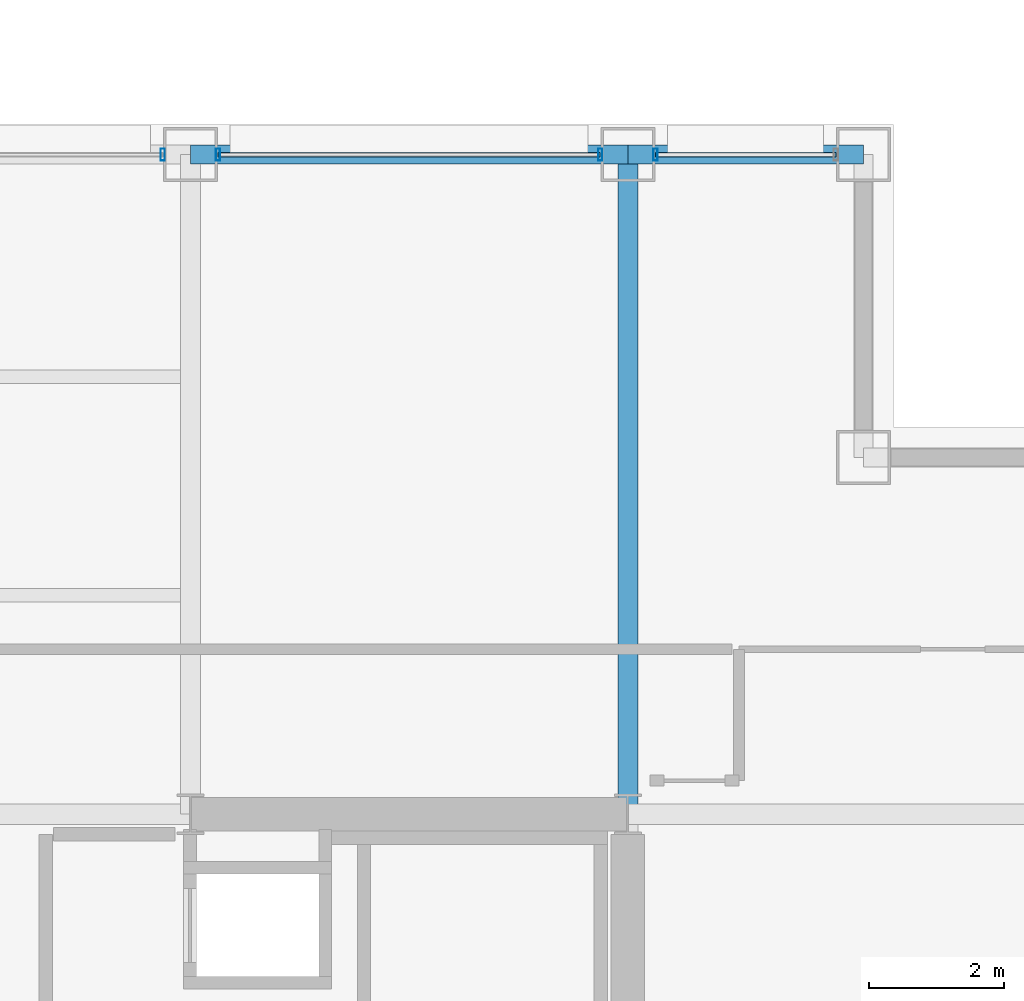
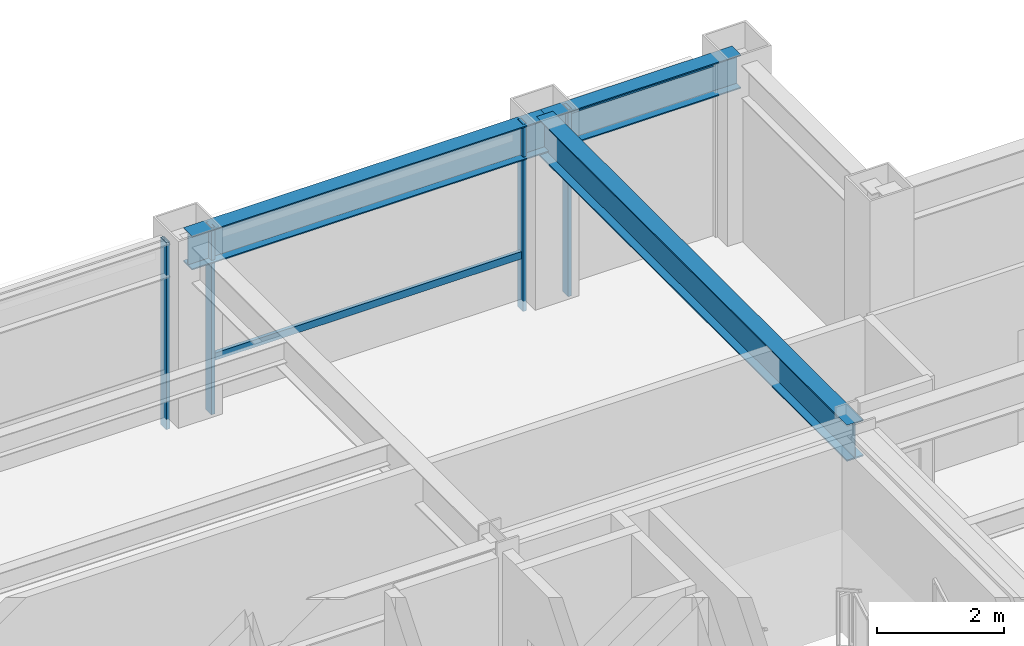
# One storey, part 21 of 29: 6 members, 3 beams, 3 elements without a shape of their own.
"""IFC4 building model written with IfcOpenShell, lengths in metres."""

from ifc_helpers import new_model, si_unit, direction, frame, origin, origin_2d, place, context, subcontext, project, spatial, hollow_rectangle, i_section, extrude, material, layer, layer_set, material_profile, profile_set, type_object, element, aggregate, save


model = new_model("IFC4")

# Units and contexts
model_context = context("Model", 3, precision=1e-05, world=origin(), true_north=direction((0.0, 1.0)))
body_context = subcontext(model_context, "Body", "Model", "MODEL_VIEW")
ifc_project = project(units=[si_unit("LENGTHUNIT", "METRE"), si_unit("AREAUNIT", "SQUARE_METRE"), si_unit("VOLUMEUNIT", "CUBIC_METRE"), si_unit("PLANEANGLEUNIT", "RADIAN"), si_unit("MASSUNIT", "GRAM", prefix="KILO")], contexts=[model_context])

# Site, building, storey
site_placement = place(None, origin())
site = spatial("IfcSite", under=ifc_project, at=site_placement, CompositionType="ELEMENT")
building_placement = place(site_placement, origin())
building = spatial("IfcBuilding", under=site, at=building_placement, Name="Brelmoor Portico Tower", CompositionType="ELEMENT")
storey_placement = place(building_placement, frame((0.0, 0.0, 127.800048828125)))
storey = spatial("IfcBuildingStorey", under=building, at=storey_placement, Name="L33", CompositionType="ELEMENT", Elevation=127.800048828125)

# Beams
ifc_material_1 = material(Name="Steel Q355B", Category="steel")
ifc_material_profile_1 = material_profile(ifc_material_1, i_section(OverallWidth=0.300048828125, OverallDepth=0.699951171875, WebThickness=0.012939453125, FlangeThickness=0.02392578125, at=origin_2d()), Name="HN 700x300x13x24")
ifc_profile_set_1 = profile_set([ifc_material_profile_1], Name="Steel Q355B")
beam_type_1 = type_object("IfcBeamType", Name="BM-PG-700", PredefinedType="BEAM", material=ifc_profile_set_1)
beam_1_placement = place(storey_placement, frame((14.550048828125, 9.75, 3.050048828125), z_axis=(0.0, 1.0, 0.0), x_axis=(-1.0, 0.0, 0.0)))
element("IfcBeam", 1, at=beam_1_placement, inside=storey, type_object=beam_type_1, Name="L33 Primary Floor Girder PG-13", PredefinedType="BEAM", context=body_context, shape_type="SweptSolid", body=[
    extrude(i_section(OverallWidth=0.300048828125, OverallDepth=0.699951171875, WebThickness=0.012939453125, FlangeThickness=0.02392578125, at=origin_2d()), origin(), (0.0, 0.0, 1.0), 9.800048828125),
])
ifc_material_profile_2 = material_profile(ifc_material_1, i_section(OverallWidth=0.280029296875, OverallDepth=0.64990234375, WebThickness=0.012939453125, FlangeThickness=0.02197265625, at=origin_2d()), Name="HN 650x280x13x22")
ifc_profile_set_2 = profile_set([ifc_material_profile_2], Name="Steel Q355B")
beam_type_2 = type_object("IfcBeamType", Name="BM-SP-650", PredefinedType="SPANDREL", material=ifc_profile_set_2)
beam_2_placement = place(storey_placement, frame((8.050048828125, 19.550048828125, 3.074951171875), z_axis=(1.0, 0.0, 0.0), x_axis=(0.0, 1.0, 0.0)))
element("IfcBeam", 2, at=beam_2_placement, inside=storey, type_object=beam_type_2, Name="L33 Perimeter Spandrel Beam SP-13", PredefinedType="SPANDREL", context=body_context, shape_type="SweptSolid", body=[
    extrude(i_section(OverallWidth=0.280029296875, OverallDepth=0.64990234375, WebThickness=0.012939453125, FlangeThickness=0.02197265625, at=origin_2d()), origin(), (0.0, 0.0, 1.0), 6.5),
])
beam_3_placement = place(storey_placement, frame((14.550048828125, 19.550048828125, 3.074951171875), z_axis=(1.0, 0.0, 0.0), x_axis=(0.0, 1.0, 0.0)))
element("IfcBeam", 3, at=beam_3_placement, inside=storey, type_object=beam_type_2, Name="L33 Perimeter Spandrel Beam SP-14", PredefinedType="SPANDREL", context=body_context, shape_type="SweptSolid", body=[
    extrude(i_section(OverallWidth=0.280029296875, OverallDepth=0.64990234375, WebThickness=0.012939453125, FlangeThickness=0.02197265625, at=origin_2d()), origin(), (0.0, 0.0, 1.0), 3.5),
])

# Curtain wall, member
ifc_material_2 = material(Name="Anodised Aluminium Alloy 6063-T6", Category="aluminium")
ifc_layer_1 = layer(ifc_material_2, 0.179931640625)
ifc_layer_set_1 = layer_set([ifc_layer_1], Name="Anodised Aluminium Alloy 6063-T6")
curtain_wall_type_1 = type_object("IfcCurtainWallType", Name="CW-TOWER-Z2", PredefinedType="NOTDEFINED", material=ifc_layer_set_1)
curtain_wall_1_placement = place(storey_placement, origin())
curtain_wall_1 = element("IfcCurtainWall", 4, at=curtain_wall_1_placement, inside=storey, type_object=curtain_wall_type_1, Name="L33 Curtain Wall CW-L33-2R-1", PredefinedType="NOTDEFINED")
ifc_material_profile_3 = material_profile(ifc_material_2, hollow_rectangle(XDim=0.06494140625, YDim=0.179931640625, WallThickness=0.00390625, at=origin_2d()), Name="ALU MULLION 65x180")
ifc_profile_set_3 = profile_set([ifc_material_profile_3], Name="Anodised Aluminium Alloy 6063-T6")
member_type_1 = type_object("IfcMemberType", Name="MB-CW-MULL-180", PredefinedType="MULLION", material=ifc_profile_set_3)
member_1_placement = place(storey_placement, frame((7.639892578125, 19.550048828125, -0.199951171875), z_axis=(0.0, 0.0, 1.0), x_axis=(1.0, 0.0, 0.0)))
member_1 = element("IfcMember", 5, at=member_1_placement, type_object=member_type_1, Name="CW-L33-2R-1 Mullion 01", PredefinedType="MULLION", context=body_context, shape_type="SweptSolid", body=[
    extrude(hollow_rectangle(XDim=0.06494140625, YDim=0.179931640625, WallThickness=0.00390625, at=origin_2d()), origin(), (0.0, 0.0, 1.0), 3.599853515625),
])
aggregate(curtain_wall_1, [member_1])

# Curtain wall, members
curtain_wall_2_placement = place(storey_placement, origin())
curtain_wall_2 = element("IfcCurtainWall", 6, at=curtain_wall_2_placement, inside=storey, type_object=curtain_wall_type_1, Name="L33 Curtain Wall CW-L33-2R-2", PredefinedType="NOTDEFINED")
member_2_placement = place(storey_placement, frame((8.4599609375, 19.550048828125, -0.199951171875), z_axis=(0.0, 0.0, 1.0), x_axis=(1.0, 0.0, 0.0)))
member_2 = element("IfcMember", 7, at=member_2_placement, type_object=member_type_1, Name="CW-L33-2R-2 Mullion 00", PredefinedType="MULLION", context=body_context, shape_type="SweptSolid", body=[
    extrude(hollow_rectangle(XDim=0.06494140625, YDim=0.179931640625, WallThickness=0.00390625, at=origin_2d()), origin(), (0.0, 0.0, 1.0), 3.599853515625),
])
member_3_placement = place(storey_placement, frame((14.139892578125, 19.550048828125, -0.199951171875), z_axis=(0.0, 0.0, 1.0), x_axis=(1.0, 0.0, 0.0)))
member_3 = element("IfcMember", 8, at=member_3_placement, type_object=member_type_1, Name="CW-L33-2R-2 Mullion 01", PredefinedType="MULLION", context=body_context, shape_type="SweptSolid", body=[
    extrude(hollow_rectangle(XDim=0.06494140625, YDim=0.179931640625, WallThickness=0.00390625, at=origin_2d()), origin(), (0.0, 0.0, 1.0), 3.599853515625),
])

# Curtain wall, member
ifc_layer_2 = layer(ifc_material_2, 0.179931640625)
ifc_layer_set_2 = layer_set([ifc_layer_2], Name="Anodised Aluminium Alloy 6063-T6")
curtain_wall_type_2 = type_object("IfcCurtainWallType", Name="CW-TOWER-Z2-XB", PredefinedType="NOTDEFINED", material=ifc_layer_set_2)
curtain_wall_3_placement = place(storey_placement, origin())
curtain_wall_3 = element("IfcCurtainWall", 9, at=curtain_wall_3_placement, inside=storey, type_object=curtain_wall_type_2, Name="L33 Curtain Wall CW-L33-2R-3", PredefinedType="NOTDEFINED")
member_4_placement = place(storey_placement, frame((14.9599609375, 19.550048828125, -0.199951171875), z_axis=(0.0, 0.0, 1.0), x_axis=(1.0, 0.0, 0.0)))
member_4 = element("IfcMember", 10, at=member_4_placement, type_object=member_type_1, Name="CW-L33-2R-3 Mullion 00", PredefinedType="MULLION", context=body_context, shape_type="SweptSolid", body=[
    extrude(hollow_rectangle(XDim=0.06494140625, YDim=0.179931640625, WallThickness=0.00390625, at=origin_2d()), origin(), (0.0, 0.0, 1.0), 3.599853515625),
])

# Member
ifc_material_profile_4 = material_profile(ifc_material_2, hollow_rectangle(XDim=0.06494140625, YDim=0.139892578125, WallThickness=0.00390625, at=origin_2d()), Name="ALU TRANSOM 65x140")
ifc_profile_set_4 = profile_set([ifc_material_profile_4], Name="Anodised Aluminium Alloy 6063-T6")
member_type_2 = type_object("IfcMemberType", Name="MB-CW-TRAN-140", PredefinedType="USERDEFINED", material=ifc_profile_set_4)
member_5_placement = place(storey_placement, frame((8.4599609375, 19.550048828125, 0.849853515625), z_axis=(1.0, 0.0, 0.0), x_axis=(0.0, 1.0, 0.0)))
member_5 = element("IfcMember", 11, at=member_5_placement, type_object=member_type_2, Name="CW-L33-2R-2 Transom 1-00", ObjectType="TRANSOM", PredefinedType="USERDEFINED", context=body_context, shape_type="SweptSolid", body=[
    extrude(hollow_rectangle(XDim=0.06494140625, YDim=0.139892578125, WallThickness=0.00390625, at=origin_2d()), origin(), (0.0, 0.0, 1.0), 5.679931640625),
])

aggregate(curtain_wall_2, [member_2, member_3, member_5])

member_6_placement = place(storey_placement, frame((14.9599609375, 19.550048828125, 3.329833984375), z_axis=(1.0, 0.0, 0.0), x_axis=(0.0, 1.0, 0.0)))
member_6 = element("IfcMember", 12, at=member_6_placement, type_object=member_type_2, Name="CW-L33-2R-3 Transom 1-00", ObjectType="TRANSOM", PredefinedType="USERDEFINED", context=body_context, shape_type="SweptSolid", body=[
    extrude(hollow_rectangle(XDim=0.06494140625, YDim=0.139892578125, WallThickness=0.00390625, at=origin_2d()), origin(), (0.0, 0.0, 1.0), 2.679931640625),
])

aggregate(curtain_wall_3, [member_4, member_6])

save(model, "model.ifc")
